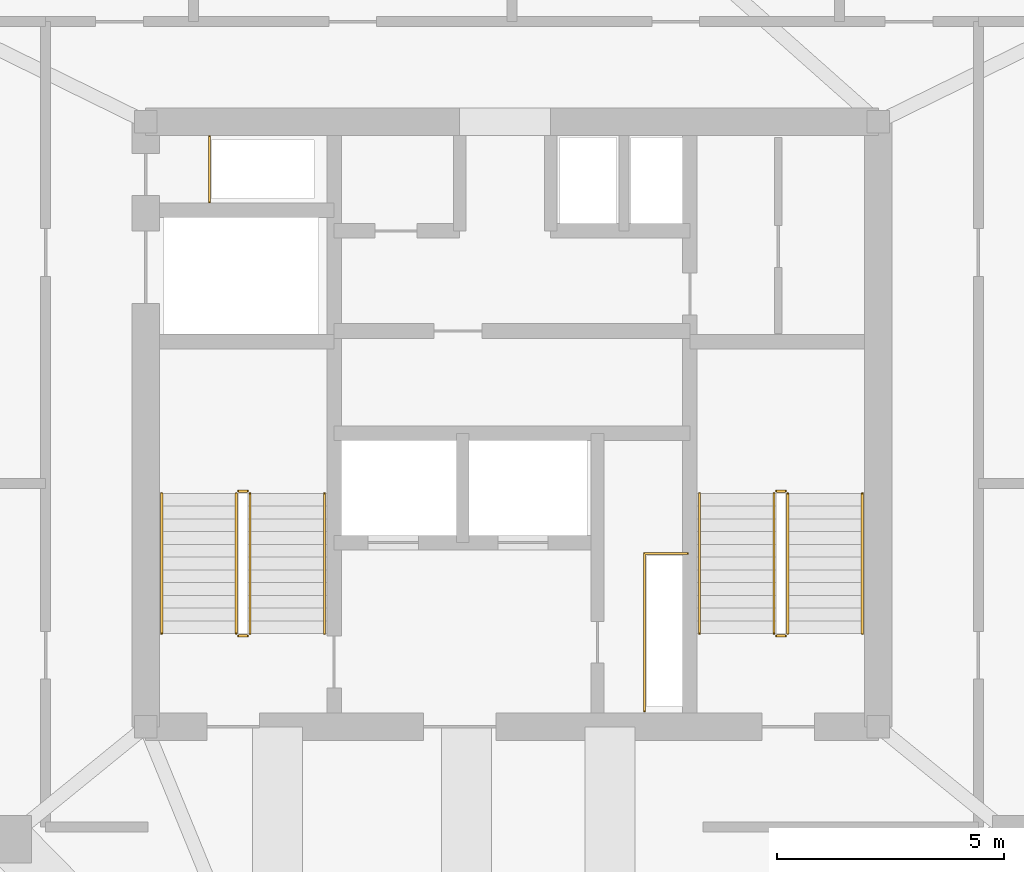
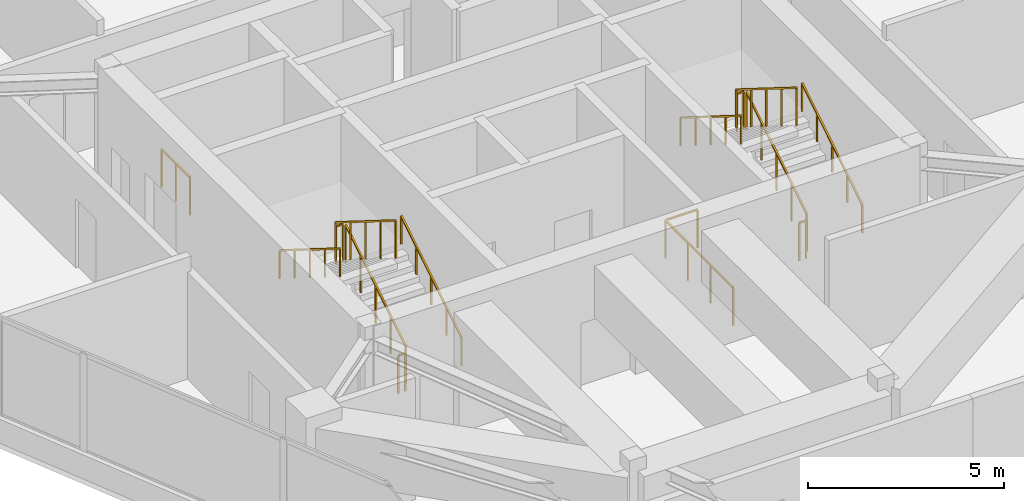
# One storey, part 7 of 7: 14 railings.
"""IFC4 building model written with IfcOpenShell, lengths in metres."""

from ifc_helpers import new_model, si_unit, direction, frame, origin, origin_2d, place, context, subcontext, project, spatial, rectangle, extrude, material, type_object, element, save


model = new_model("IFC4")

# Units and contexts
model_context = context("Model", 3, precision=1e-05, world=origin(), true_north=direction((0.0, 1.0)))
body_context = subcontext(model_context, "Body", "Model", "MODEL_VIEW")
ifc_project = project(units=[si_unit("LENGTHUNIT", "METRE"), si_unit("AREAUNIT", "SQUARE_METRE"), si_unit("VOLUMEUNIT", "CUBIC_METRE"), si_unit("PLANEANGLEUNIT", "RADIAN"), si_unit("MASSUNIT", "GRAM", prefix="KILO")], contexts=[model_context])

# Site, building, storey
site_placement = place(None, origin())
site = spatial("IfcSite", under=ifc_project, at=site_placement, CompositionType="ELEMENT")
building_placement = place(site_placement, origin())
building = spatial("IfcBuilding", under=site, at=building_placement, Name="Talyreon Biosciences Tower", CompositionType="ELEMENT")
storey_placement = place(building_placement, frame((0.0, 0.0, 313.0)))
storey = spatial("IfcBuildingStorey", under=building, at=storey_placement, Name="L83", CompositionType="ELEMENT", Elevation=313.0)

# Railings
ifc_material_1 = material(Name="Brushed stainless-steel tubular handrail", Category="steel")
railing_type_1 = type_object("IfcRailingType", Name="StairWallHandrail_900", PredefinedType="HANDRAIL", material=ifc_material_1)
railing_1_placement = place(storey_placement, frame((61.8798828125, 63.39990234375, 0.175048828125)))
element("IfcRailing", 1, at=railing_1_placement, inside=storey, type_object=railing_type_1, Name="L83 ST-1 stair handrail 1", PredefinedType="HANDRAIL", context=body_context, shape_type="SweptSolid", body=[
    extrude(rectangle(XDim=0.048095703125, YDim=0.048095703125, at=origin_2d()), frame((0.0, 0.0, 0.8759765625), z_axis=(0.0, 0.847998304005, 0.529998940003), x_axis=(-1.0, 0.0, 0.0)), (0.0, 0.0, 1.0), 3.632080078125),
    extrude(rectangle(XDim=0.0419921875, YDim=0.0419921875, at=origin_2d()), origin(), (0.0, 0.0, 1.0), 0.851806640625),
    extrude(rectangle(XDim=0.0419921875, YDim=0.0419921875, at=origin_2d()), frame((0.0, 0.77001953125, 0.481201171875)), (0.0, 0.0, 1.0), 0.851806640625),
    extrude(rectangle(XDim=0.0419921875, YDim=0.0419921875, at=origin_2d()), frame((0.0, 1.5400390625, 0.96240234375)), (0.0, 0.0, 1.0), 0.851806640625),
    extrude(rectangle(XDim=0.0419921875, YDim=0.0419921875, at=origin_2d()), frame((0.0, 2.31005859375, 1.44384765625)), (0.0, 0.0, 1.0), 0.851806640625),
    extrude(rectangle(XDim=0.0419921875, YDim=0.0419921875, at=origin_2d()), frame((0.0, 3.080078125, 1.925048828125)), (0.0, 0.0, 1.0), 0.851806640625),
])
railing_2_placement = place(storey_placement, frame((58.300048828125, 66.47998046875, 2.27490234375)))
element("IfcRailing", 2, at=railing_2_placement, inside=storey, type_object=railing_type_1, Name="L83 ST-1 stair handrail 2", PredefinedType="HANDRAIL", context=body_context, shape_type="SweptSolid", body=[
    extrude(rectangle(XDim=0.048095703125, YDim=0.048095703125, at=origin_2d()), frame((0.0, 0.0, 0.8759765625), z_axis=(0.0, -0.847998304005, 0.529998940003), x_axis=(1.0, 0.0, 0.0)), (0.0, 0.0, 1.0), 3.632080078125),
    extrude(rectangle(XDim=0.0419921875, YDim=0.0419921875, at=origin_2d()), origin(), (0.0, 0.0, 1.0), 0.851806640625),
    extrude(rectangle(XDim=0.0419921875, YDim=0.0419921875, at=origin_2d()), frame((0.0, -0.77001953125, 0.481201171875)), (0.0, 0.0, 1.0), 0.851806640625),
    extrude(rectangle(XDim=0.0419921875, YDim=0.0419921875, at=origin_2d()), frame((0.0, -1.5400390625, 0.96240234375)), (0.0, 0.0, 1.0), 0.851806640625),
    extrude(rectangle(XDim=0.0419921875, YDim=0.0419921875, at=origin_2d()), frame((0.0, -2.31005859375, 1.44384765625)), (0.0, 0.0, 1.0), 0.851806640625),
    extrude(rectangle(XDim=0.0419921875, YDim=0.0419921875, at=origin_2d()), frame((0.0, -3.080078125, 1.925048828125)), (0.0, 0.0, 1.0), 0.851806640625),
])
railing_3_placement = place(storey_placement, frame((73.699951171875, 63.39990234375, 0.175048828125)))
element("IfcRailing", 3, at=railing_3_placement, inside=storey, type_object=railing_type_1, Name="L83 ST-2 stair handrail 1", PredefinedType="HANDRAIL", context=body_context, shape_type="SweptSolid", body=[
    extrude(rectangle(XDim=0.048095703125, YDim=0.048095703125, at=origin_2d()), frame((0.0, 0.0, 0.8759765625), z_axis=(0.0, 0.847998304005, 0.529998940003), x_axis=(-1.0, 0.0, 0.0)), (0.0, 0.0, 1.0), 3.632080078125),
    extrude(rectangle(XDim=0.0419921875, YDim=0.0419921875, at=origin_2d()), origin(), (0.0, 0.0, 1.0), 0.851806640625),
    extrude(rectangle(XDim=0.0419921875, YDim=0.0419921875, at=origin_2d()), frame((0.0, 0.77001953125, 0.481201171875)), (0.0, 0.0, 1.0), 0.851806640625),
    extrude(rectangle(XDim=0.0419921875, YDim=0.0419921875, at=origin_2d()), frame((0.0, 1.5400390625, 0.96240234375)), (0.0, 0.0, 1.0), 0.851806640625),
    extrude(rectangle(XDim=0.0419921875, YDim=0.0419921875, at=origin_2d()), frame((0.0, 2.31005859375, 1.44384765625)), (0.0, 0.0, 1.0), 0.851806640625),
    extrude(rectangle(XDim=0.0419921875, YDim=0.0419921875, at=origin_2d()), frame((0.0, 3.080078125, 1.925048828125)), (0.0, 0.0, 1.0), 0.851806640625),
])
railing_4_placement = place(storey_placement, frame((70.1201171875, 66.47998046875, 2.27490234375)))
element("IfcRailing", 4, at=railing_4_placement, inside=storey, type_object=railing_type_1, Name="L83 ST-2 stair handrail 2", PredefinedType="HANDRAIL", context=body_context, shape_type="SweptSolid", body=[
    extrude(rectangle(XDim=0.048095703125, YDim=0.048095703125, at=origin_2d()), frame((0.0, 0.0, 0.8759765625), z_axis=(0.0, -0.847998304005, 0.529998940003), x_axis=(1.0, 0.0, 0.0)), (0.0, 0.0, 1.0), 3.632080078125),
    extrude(rectangle(XDim=0.0419921875, YDim=0.0419921875, at=origin_2d()), origin(), (0.0, 0.0, 1.0), 0.851806640625),
    extrude(rectangle(XDim=0.0419921875, YDim=0.0419921875, at=origin_2d()), frame((0.0, -0.77001953125, 0.481201171875)), (0.0, 0.0, 1.0), 0.851806640625),
    extrude(rectangle(XDim=0.0419921875, YDim=0.0419921875, at=origin_2d()), frame((0.0, -1.5400390625, 0.96240234375)), (0.0, 0.0, 1.0), 0.851806640625),
    extrude(rectangle(XDim=0.0419921875, YDim=0.0419921875, at=origin_2d()), frame((0.0, -2.31005859375, 1.44384765625)), (0.0, 0.0, 1.0), 0.851806640625),
    extrude(rectangle(XDim=0.0419921875, YDim=0.0419921875, at=origin_2d()), frame((0.0, -3.080078125, 1.925048828125)), (0.0, 0.0, 1.0), 0.851806640625),
])
ifc_material_2 = material(Name="Painted galvanised steel post-and-rail balustrade", Category="steel")
railing_type_2 = type_object("IfcRailingType", Name="TerraceStairGuard_1200", PredefinedType="GUARDRAIL", material=ifc_material_2)
railing_5_placement = place(storey_placement, frame((60.239990234375, 63.39990234375, 0.175048828125)))
element("IfcRailing", 5, at=railing_5_placement, inside=storey, type_object=railing_type_2, Name="L83 ST-1 stair guard 1", PredefinedType="GUARDRAIL", context=body_context, shape_type="SweptSolid", body=[
    extrude(rectangle(XDim=0.048095703125, YDim=0.048095703125, at=origin_2d()), frame((0.0, 0.0, 1.17578125), z_axis=(0.0, 0.847998304005, 0.529998940003), x_axis=(-1.0, 0.0, 0.0)), (0.0, 0.0, 1.0), 3.632080078125),
    extrude(rectangle(XDim=0.0419921875, YDim=0.0419921875, at=origin_2d()), origin(), (0.0, 0.0, 1.0), 1.15185546875),
    extrude(rectangle(XDim=0.0419921875, YDim=0.0419921875, at=origin_2d()), frame((0.0, 0.77001953125, 0.481201171875)), (0.0, 0.0, 1.0), 1.15185546875),
    extrude(rectangle(XDim=0.0419921875, YDim=0.0419921875, at=origin_2d()), frame((0.0, 1.5400390625, 0.96240234375)), (0.0, 0.0, 1.0), 1.15185546875),
    extrude(rectangle(XDim=0.0419921875, YDim=0.0419921875, at=origin_2d()), frame((0.0, 2.31005859375, 1.44384765625)), (0.0, 0.0, 1.0), 1.15185546875),
    extrude(rectangle(XDim=0.0419921875, YDim=0.0419921875, at=origin_2d()), frame((0.0, 3.080078125, 1.925048828125)), (0.0, 0.0, 1.0), 1.15185546875),
])
railing_6_placement = place(storey_placement, frame((60.18994140625, 66.530029296875, 2.10009765625)))
element("IfcRailing", 6, at=railing_6_placement, inside=storey, type_object=railing_type_2, Name="L83 ST-1 stair guard 2", PredefinedType="GUARDRAIL", context=body_context, shape_type="SweptSolid", body=[
    extrude(rectangle(XDim=0.048095703125, YDim=0.048095703125, at=origin_2d()), frame((0.0, 0.0, 1.17578125), z_axis=(-1.0, 0.0, 0.0), x_axis=(0.0, -1.0, 0.0)), (0.0, 0.0, 1.0), 0.199951171875),
    extrude(rectangle(XDim=0.0419921875, YDim=0.0419921875, at=origin_2d()), origin(), (0.0, 0.0, 1.0), 1.15185546875),
    extrude(rectangle(XDim=0.0419921875, YDim=0.0419921875, at=origin_2d()), frame((-0.199951171875, 0.0, 0.0)), (0.0, 0.0, 1.0), 1.15185546875),
])
railing_7_placement = place(storey_placement, frame((59.93994140625, 66.47998046875, 2.27490234375)))
element("IfcRailing", 7, at=railing_7_placement, inside=storey, type_object=railing_type_2, Name="L83 ST-1 stair guard 3", PredefinedType="GUARDRAIL", context=body_context, shape_type="SweptSolid", body=[
    extrude(rectangle(XDim=0.048095703125, YDim=0.048095703125, at=origin_2d()), frame((0.0, 0.0, 1.17578125), z_axis=(0.0, -0.847998304005, 0.529998940003), x_axis=(1.0, 0.0, 0.0)), (0.0, 0.0, 1.0), 3.632080078125),
    extrude(rectangle(XDim=0.0419921875, YDim=0.0419921875, at=origin_2d()), origin(), (0.0, 0.0, 1.0), 1.15185546875),
    extrude(rectangle(XDim=0.0419921875, YDim=0.0419921875, at=origin_2d()), frame((0.0, -0.77001953125, 0.481201171875)), (0.0, 0.0, 1.0), 1.15185546875),
    extrude(rectangle(XDim=0.0419921875, YDim=0.0419921875, at=origin_2d()), frame((0.0, -1.5400390625, 0.96240234375)), (0.0, 0.0, 1.0), 1.15185546875),
    extrude(rectangle(XDim=0.0419921875, YDim=0.0419921875, at=origin_2d()), frame((0.0, -2.31005859375, 1.44384765625)), (0.0, 0.0, 1.0), 1.15185546875),
    extrude(rectangle(XDim=0.0419921875, YDim=0.0419921875, at=origin_2d()), frame((0.0, -3.080078125, 1.925048828125)), (0.0, 0.0, 1.0), 1.15185546875),
])
railing_8_placement = place(storey_placement, frame((60.18994140625, 63.35009765625, 0.0)))
element("IfcRailing", 8, at=railing_8_placement, inside=storey, type_object=railing_type_2, Name="L83 ST-1 stair guard 4", PredefinedType="GUARDRAIL", context=body_context, shape_type="SweptSolid", body=[
    extrude(rectangle(XDim=0.048095703125, YDim=0.048095703125, at=origin_2d()), frame((0.0, 0.0, 1.17578125), z_axis=(-1.0, 0.0, 0.0), x_axis=(0.0, -1.0, 0.0)), (0.0, 0.0, 1.0), 0.199951171875),
    extrude(rectangle(XDim=0.0419921875, YDim=0.0419921875, at=origin_2d()), origin(), (0.0, 0.0, 1.0), 1.15185546875),
    extrude(rectangle(XDim=0.0419921875, YDim=0.0419921875, at=origin_2d()), frame((-0.199951171875, 0.0, 0.0)), (0.0, 0.0, 1.0), 1.15185546875),
])
railing_9_placement = place(storey_placement, frame((72.06005859375, 63.39990234375, 0.175048828125)))
element("IfcRailing", 9, at=railing_9_placement, inside=storey, type_object=railing_type_2, Name="L83 ST-2 stair guard 1", PredefinedType="GUARDRAIL", context=body_context, shape_type="SweptSolid", body=[
    extrude(rectangle(XDim=0.048095703125, YDim=0.048095703125, at=origin_2d()), frame((0.0, 0.0, 1.17578125), z_axis=(0.0, 0.847998304005, 0.529998940003), x_axis=(-1.0, 0.0, 0.0)), (0.0, 0.0, 1.0), 3.632080078125),
    extrude(rectangle(XDim=0.0419921875, YDim=0.0419921875, at=origin_2d()), origin(), (0.0, 0.0, 1.0), 1.15185546875),
    extrude(rectangle(XDim=0.0419921875, YDim=0.0419921875, at=origin_2d()), frame((0.0, 0.77001953125, 0.481201171875)), (0.0, 0.0, 1.0), 1.15185546875),
    extrude(rectangle(XDim=0.0419921875, YDim=0.0419921875, at=origin_2d()), frame((0.0, 1.5400390625, 0.96240234375)), (0.0, 0.0, 1.0), 1.15185546875),
    extrude(rectangle(XDim=0.0419921875, YDim=0.0419921875, at=origin_2d()), frame((0.0, 2.31005859375, 1.44384765625)), (0.0, 0.0, 1.0), 1.15185546875),
    extrude(rectangle(XDim=0.0419921875, YDim=0.0419921875, at=origin_2d()), frame((0.0, 3.080078125, 1.925048828125)), (0.0, 0.0, 1.0), 1.15185546875),
])
railing_10_placement = place(storey_placement, frame((72.010009765625, 66.530029296875, 2.10009765625)))
element("IfcRailing", 10, at=railing_10_placement, inside=storey, type_object=railing_type_2, Name="L83 ST-2 stair guard 2", PredefinedType="GUARDRAIL", context=body_context, shape_type="SweptSolid", body=[
    extrude(rectangle(XDim=0.048095703125, YDim=0.048095703125, at=origin_2d()), frame((0.0, 0.0, 1.17578125), z_axis=(-1.0, 0.0, 0.0), x_axis=(0.0, -1.0, 0.0)), (0.0, 0.0, 1.0), 0.199951171875),
    extrude(rectangle(XDim=0.0419921875, YDim=0.0419921875, at=origin_2d()), origin(), (0.0, 0.0, 1.0), 1.15185546875),
    extrude(rectangle(XDim=0.0419921875, YDim=0.0419921875, at=origin_2d()), frame((-0.199951171875, 0.0, 0.0)), (0.0, 0.0, 1.0), 1.15185546875),
])
railing_11_placement = place(storey_placement, frame((71.760009765625, 66.47998046875, 2.27490234375)))
element("IfcRailing", 11, at=railing_11_placement, inside=storey, type_object=railing_type_2, Name="L83 ST-2 stair guard 3", PredefinedType="GUARDRAIL", context=body_context, shape_type="SweptSolid", body=[
    extrude(rectangle(XDim=0.048095703125, YDim=0.048095703125, at=origin_2d()), frame((0.0, 0.0, 1.17578125), z_axis=(0.0, -0.847998304005, 0.529998940003), x_axis=(1.0, 0.0, 0.0)), (0.0, 0.0, 1.0), 3.632080078125),
    extrude(rectangle(XDim=0.0419921875, YDim=0.0419921875, at=origin_2d()), origin(), (0.0, 0.0, 1.0), 1.15185546875),
    extrude(rectangle(XDim=0.0419921875, YDim=0.0419921875, at=origin_2d()), frame((0.0, -0.77001953125, 0.481201171875)), (0.0, 0.0, 1.0), 1.15185546875),
    extrude(rectangle(XDim=0.0419921875, YDim=0.0419921875, at=origin_2d()), frame((0.0, -1.5400390625, 0.96240234375)), (0.0, 0.0, 1.0), 1.15185546875),
    extrude(rectangle(XDim=0.0419921875, YDim=0.0419921875, at=origin_2d()), frame((0.0, -2.31005859375, 1.44384765625)), (0.0, 0.0, 1.0), 1.15185546875),
    extrude(rectangle(XDim=0.0419921875, YDim=0.0419921875, at=origin_2d()), frame((0.0, -3.080078125, 1.925048828125)), (0.0, 0.0, 1.0), 1.15185546875),
])
railing_12_placement = place(storey_placement, frame((72.010009765625, 63.35009765625, 0.0)))
element("IfcRailing", 12, at=railing_12_placement, inside=storey, type_object=railing_type_2, Name="L83 ST-2 stair guard 4", PredefinedType="GUARDRAIL", context=body_context, shape_type="SweptSolid", body=[
    extrude(rectangle(XDim=0.048095703125, YDim=0.048095703125, at=origin_2d()), frame((0.0, 0.0, 1.17578125), z_axis=(-1.0, 0.0, 0.0), x_axis=(0.0, -1.0, 0.0)), (0.0, 0.0, 1.0), 0.199951171875),
    extrude(rectangle(XDim=0.0419921875, YDim=0.0419921875, at=origin_2d()), origin(), (0.0, 0.0, 1.0), 1.15185546875),
    extrude(rectangle(XDim=0.0419921875, YDim=0.0419921875, at=origin_2d()), frame((-0.199951171875, 0.0, 0.0)), (0.0, 0.0, 1.0), 1.15185546875),
])
railing_13_placement = place(storey_placement, frame((59.35009765625, 72.8798828125, 0.0)))
element("IfcRailing", 13, at=railing_13_placement, inside=storey, type_object=railing_type_2, Name="L83 Exhaust Riser Maintenance Guardrail", PredefinedType="GUARDRAIL", context=body_context, shape_type="SweptSolid", body=[
    extrude(rectangle(XDim=0.048095703125, YDim=0.048095703125, at=origin_2d()), frame((0.0, 0.0, 1.17578125), z_axis=(0.0, 1.0, 0.0), x_axis=(-1.0, 0.0, 0.0)), (0.0, 0.0, 1.0), 1.4501953125),
    extrude(rectangle(XDim=0.0419921875, YDim=0.0419921875, at=origin_2d()), origin(), (0.0, 0.0, 1.0), 1.15185546875),
    extrude(rectangle(XDim=0.0419921875, YDim=0.0419921875, at=origin_2d()), frame((0.0, 0.72509765625, 0.0)), (0.0, 0.0, 1.0), 1.15185546875),
    extrude(rectangle(XDim=0.0419921875, YDim=0.0419921875, at=origin_2d()), frame((0.0, 1.4501953125, 0.0)), (0.0, 0.0, 1.0), 1.15185546875),
])
railing_14_placement = place(storey_placement, frame((68.909912109375, 61.699951171875, 0.0)))
element("IfcRailing", 14, at=railing_14_placement, inside=storey, type_object=railing_type_2, Name="L83 Electrical Riser Maintenance Guardrail", PredefinedType="GUARDRAIL", context=body_context, shape_type="SweptSolid", body=[
    extrude(rectangle(XDim=0.048095703125, YDim=0.048095703125, at=origin_2d()), frame((0.0, 0.0, 1.17578125), z_axis=(0.0, 1.0, 0.0), x_axis=(-1.0, 0.0, 0.0)), (0.0, 0.0, 1.0), 3.4599609375),
    extrude(rectangle(XDim=0.048095703125, YDim=0.048095703125, at=origin_2d()), frame((0.0, 3.4599609375, 1.17578125), z_axis=(1.0, 0.0, 0.0), x_axis=(0.0, 1.0, 0.0)), (0.0, 0.0, 1.0), 0.9501953125),
    extrude(rectangle(XDim=0.0419921875, YDim=0.0419921875, at=origin_2d()), origin(), (0.0, 0.0, 1.0), 1.15185546875),
    extrude(rectangle(XDim=0.0419921875, YDim=0.0419921875, at=origin_2d()), frame((0.0, 1.1533203125, 0.0)), (0.0, 0.0, 1.0), 1.15185546875),
    extrude(rectangle(XDim=0.0419921875, YDim=0.0419921875, at=origin_2d()), frame((0.0, 2.306640625, 0.0)), (0.0, 0.0, 1.0), 1.15185546875),
    extrude(rectangle(XDim=0.0419921875, YDim=0.0419921875, at=origin_2d()), frame((0.0, 3.4599609375, 0.0)), (0.0, 0.0, 1.0), 1.15185546875),
    extrude(rectangle(XDim=0.0419921875, YDim=0.0419921875, at=origin_2d()), frame((0.9501953125, 3.4599609375, 0.0)), (0.0, 0.0, 1.0), 1.15185546875),
])

save(model, "model.ifc")
